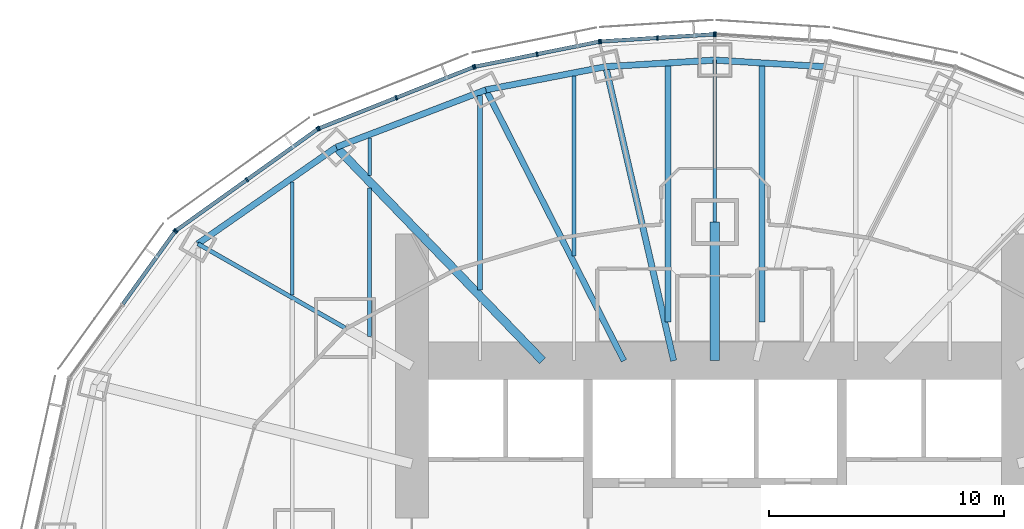
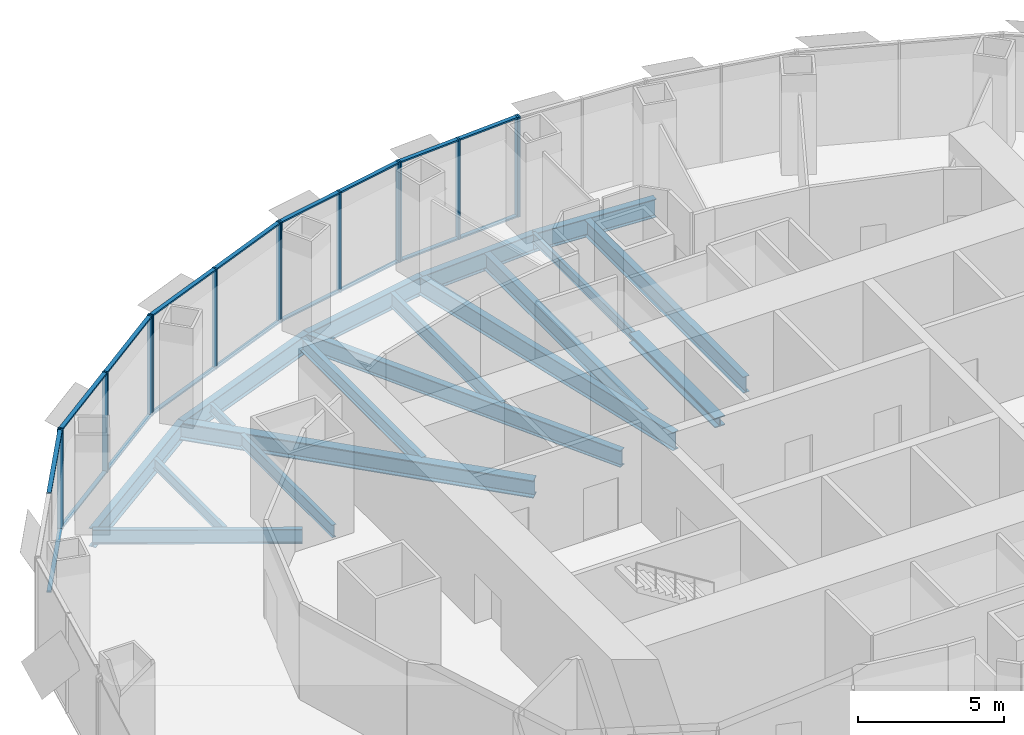
# One storey, part 7 of 18: 32 members, 18 beams, 6 elements without a shape of their own.
"""IFC4 building model written with IfcOpenShell, lengths in metres."""

from ifc_helpers import new_model, si_unit, direction, frame, origin, origin_2d, place, context, subcontext, project, spatial, rectangle, i_section, extrude, material, material_profile, profile_set, type_object, element, aggregate, save


model = new_model("IFC4")

# Units and contexts
model_context = context("Model", 3, precision=1e-05, world=origin(), true_north=direction((0.0, 1.0)))
body_context = subcontext(model_context, "Body", "Model", "MODEL_VIEW")
ifc_project = project(units=[si_unit("LENGTHUNIT", "METRE"), si_unit("AREAUNIT", "SQUARE_METRE"), si_unit("VOLUMEUNIT", "CUBIC_METRE"), si_unit("PLANEANGLEUNIT", "RADIAN"), si_unit("MASSUNIT", "GRAM", prefix="KILO")], contexts=[model_context])

# Site, building, storey
site_placement = place(None, origin())
site = spatial("IfcSite", under=ifc_project, at=site_placement, CompositionType="ELEMENT")
building_placement = place(site_placement, origin())
building = spatial("IfcBuilding", under=site, at=building_placement, Name="Lantaw Convention Tower", CompositionType="ELEMENT")
storey_placement = place(building_placement, frame((0.0, 0.0, 184.60009765625)))
storey = spatial("IfcBuildingStorey", under=building, at=storey_placement, Name="L43", CompositionType="ELEMENT", Elevation=184.60009765625)

# Beams
ifc_material_1 = material(Name="Steel ASTM A992", Category="steel")
ifc_material_profile_1 = material_profile(ifc_material_1, i_section(OverallWidth=0.2666015625, OverallDepth=0.76953125, WebThickness=0.015625, FlangeThickness=0.025390625, FilletRadius=0.0126953125, at=origin_2d()), Name="W30X132")
ifc_profile_set_1 = profile_set([ifc_material_profile_1], Name="Steel ASTM A992")
beam_type_1 = type_object("IfcBeamType", Name="Beam E W30X132", PredefinedType="SPANDREL", material=ifc_profile_set_1)
for number, where, z_axis, x_axis, name in (
    (1, (4.64501953125, 20.1201171875, -0.534912109375), (-0.998190892054, 0.06012439621, 0.0), (-0.06012439621, -0.998190892054, 0.0), "Edge beam 6"),
    (2, (0.0, 20.39990234375, -0.534912109375), (-0.998190892054, -0.06012439621, 0.0), (0.06012439621, -0.998190892054, 0.0), "Edge beam 7"),
):
    element("IfcBeam", number, at=place(storey_placement, frame(where, z_axis=z_axis, x_axis=x_axis)), inside=storey, type_object=beam_type_1, Name=name, PredefinedType="SPANDREL", context=body_context, shape_type="SweptSolid", body=[
        extrude(i_section(OverallWidth=0.2666015625, OverallDepth=0.76953125, WebThickness=0.015625, FlangeThickness=0.025390625, FilletRadius=0.0126953125, at=origin_2d()), origin(), (0.0, 0.0, 1.0), 4.6533203125),
    ])
beam_1_placement = place(storey_placement, frame((-4.64501953125, 20.1201171875, -0.534912109375), z_axis=(-0.981796805654, -0.189934284446, 0.0), x_axis=(0.189934284446, -0.981796805654, 0.0)))
element("IfcBeam", 3, at=beam_1_placement, inside=storey, type_object=beam_type_1, Name="Edge beam 8", PredefinedType="SPANDREL", context=body_context, shape_type="SweptSolid", body=[
    extrude(i_section(OverallWidth=0.2666015625, OverallDepth=0.76953125, WebThickness=0.015625, FlangeThickness=0.025390625, FilletRadius=0.0126953125, at=origin_2d()), origin(), (0.0, 0.0, 1.0), 5.1982421875),
])
beam_2_placement = place(storey_placement, frame((-9.74853515625, 19.1328125, -0.534912109375), z_axis=(-0.933691081977, -0.358079549033, 0.0), x_axis=(0.358079549033, -0.933691081977, 0.0)))
element("IfcBeam", 4, at=beam_2_placement, inside=storey, type_object=beam_type_1, Name="Edge beam 9", PredefinedType="SPANDREL", context=body_context, shape_type="SweptSolid", body=[
    extrude(i_section(OverallWidth=0.2666015625, OverallDepth=0.76953125, WebThickness=0.015625, FlangeThickness=0.025390625, FilletRadius=0.0126953125, at=origin_2d()), origin(), (0.0, 0.0, 1.0), 6.821533203125),
])
beam_3_placement = place(storey_placement, frame((-16.11767578125, 16.690185546875, -0.534912109375), z_axis=(-0.820310765287, -0.57191804339, 0.0), x_axis=(0.57191804339, -0.820310765287, 0.0)))
element("IfcBeam", 5, at=beam_3_placement, inside=storey, type_object=beam_type_1, Name="Edge beam 10", PredefinedType="SPANDREL", context=body_context, shape_type="SweptSolid", body=[
    extrude(i_section(OverallWidth=0.2666015625, OverallDepth=0.76953125, WebThickness=0.015625, FlangeThickness=0.025390625, FilletRadius=0.0126953125, at=origin_2d()), origin(), (0.0, 0.0, 1.0), 7.187744140625),
])
ifc_material_profile_2 = material_profile(ifc_material_1, i_section(OverallWidth=0.140380859375, OverallDepth=0.40380859375, WebThickness=0.007080078125, FlangeThickness=0.01123046875, FilletRadius=0.01025390625, at=origin_2d()), Name="W16X31")
ifc_profile_set_2 = profile_set([ifc_material_profile_2], Name="Steel ASTM A992")
beam_type_2 = type_object("IfcBeamType", Name="Beam G W16X31", PredefinedType="BEAM", material=ifc_profile_set_2)
beam_4_placement = place(storey_placement, frame((0.0, 13.5, -0.35205078125), z_axis=(0.0, 1.0, 0.0), x_axis=(-1.0, 0.0, 0.0)))
element("IfcBeam", 6, at=beam_4_placement, inside=storey, type_object=beam_type_2, Name="Floor girder on ray 7", PredefinedType="BEAM", context=body_context, shape_type="SweptSolid", body=[
    extrude(i_section(OverallWidth=0.140380859375, OverallDepth=0.40380859375, WebThickness=0.007080078125, FlangeThickness=0.01123046875, FilletRadius=0.01025390625, at=origin_2d()), origin(), (0.0, 0.0, 1.0), 6.89990234375),
])
ifc_material_profile_3 = material_profile(ifc_material_1, i_section(OverallWidth=0.177978515625, OverallDepth=0.599365234375, WebThickness=0.010009765625, FlangeThickness=0.012939453125, FilletRadius=0.012939453125, at=origin_2d()), Name="W24X55")
ifc_profile_set_3 = profile_set([ifc_material_profile_3], Name="Steel ASTM A992")
beam_type_3 = type_object("IfcBeamType", Name="Beam G W24X55", PredefinedType="BEAM", material=ifc_profile_set_3)
beam_5_placement = place(storey_placement, frame((-15.75, 9.0, -0.44970703125), z_axis=(-0.868245224608, 0.496135293993, 0.0), x_axis=(-0.496135293993, -0.868245224608, 0.0)))
element("IfcBeam", 7, at=beam_5_placement, inside=storey, type_object=beam_type_3, Name="Floor girder on ray 11", PredefinedType="BEAM", context=body_context, shape_type="SweptSolid", body=[
    extrude(i_section(OverallWidth=0.177978515625, OverallDepth=0.599365234375, WebThickness=0.010009765625, FlangeThickness=0.012939453125, FilletRadius=0.012939453125, at=origin_2d()), origin(), (0.0, 0.0, 1.0), 7.21435546875),
])
ifc_material_profile_4 = material_profile(ifc_material_1, i_section(OverallWidth=0.25390625, OverallDepth=0.700927734375, WebThickness=0.015380859375, FlangeThickness=0.02783203125, FilletRadius=0.01513671875, at=origin_2d()), Name="W27X129")
ifc_profile_set_4 = profile_set([ifc_material_profile_4], Name="Steel ASTM A992")
beam_type_4 = type_object("IfcBeamType", Name="Beam G W27X129", PredefinedType="BEAM", material=ifc_profile_set_4)
beam_6_placement = place(storey_placement, frame((-3.872314453125, 7.60009765625, -0.500732421875), z_axis=(-0.453991051051, 0.891006243281, 0.0), x_axis=(-0.891006243281, -0.453991051051, 0.0)))
element("IfcBeam", 8, at=beam_6_placement, inside=storey, type_object=beam_type_4, Name="Floor girder on ray 9", PredefinedType="BEAM", context=body_context, shape_type="SweptSolid", body=[
    extrude(i_section(OverallWidth=0.25390625, OverallDepth=0.700927734375, WebThickness=0.015380859375, FlangeThickness=0.02783203125, FilletRadius=0.01513671875, at=origin_2d()), origin(), (0.0, 0.0, 1.0), 12.943359375),
])
ifc_material_profile_5 = material_profile(ifc_material_1, i_section(OverallWidth=0.360595703125, OverallDepth=0.72900390625, WebThickness=0.023193359375, FlangeThickness=0.041015625, FilletRadius=0.0126953125, at=origin_2d()), Name="W27X235")
ifc_profile_set_5 = profile_set([ifc_material_profile_5], Name="Steel ASTM A992")
beam_type_5 = type_object("IfcBeamType", Name="Beam G W27X235", PredefinedType="BEAM", material=ifc_profile_set_5)
beam_7_placement = place(storey_placement, frame((-7.33935546875, 7.60009765625, -0.5146484375), z_axis=(-0.694663467407, 0.719334878239, 0.0), x_axis=(-0.719334878239, -0.694663467407, 0.0)))
element("IfcBeam", 9, at=beam_7_placement, inside=storey, type_object=beam_type_5, Name="Floor girder on ray 10", PredefinedType="BEAM", context=body_context, shape_type="SweptSolid", body=[
    extrude(i_section(OverallWidth=0.360595703125, OverallDepth=0.72900390625, WebThickness=0.023193359375, FlangeThickness=0.041015625, FilletRadius=0.0126953125, at=origin_2d()), origin(), (0.0, 0.0, 1.0), 12.63671875),
])
ifc_material_profile_6 = material_profile(ifc_material_1, i_section(OverallWidth=0.2666015625, OverallDepth=0.7568359375, WebThickness=0.013916015625, FlangeThickness=0.019287109375, FilletRadius=0.0126953125, at=origin_2d()), Name="W30X108")
ifc_profile_set_6 = profile_set([ifc_material_profile_6], Name="Steel ASTM A992")
beam_type_6 = type_object("IfcBeamType", Name="Beam G W30X108", PredefinedType="BEAM", material=ifc_profile_set_6)
beam_8_placement = place(storey_placement, frame((-1.754638671875, 7.60009765625, -0.528564453125), z_axis=(-0.224944153104, 0.974371658036, 0.0), x_axis=(-0.974371658036, -0.224944153104, 0.0)))
element("IfcBeam", 10, at=beam_8_placement, inside=storey, type_object=beam_type_6, Name="Floor girder on ray 8", PredefinedType="BEAM", context=body_context, shape_type="SweptSolid", body=[
    extrude(i_section(OverallWidth=0.2666015625, OverallDepth=0.7568359375, WebThickness=0.013916015625, FlangeThickness=0.019287109375, FilletRadius=0.0126953125, at=origin_2d()), origin(), (0.0, 0.0, 1.0), 12.849365234375),
])
ifc_material_profile_7 = material_profile(ifc_material_1, i_section(OverallWidth=0.40380859375, OverallDepth=0.406494140625, WebThickness=0.027099609375, FlangeThickness=0.043701171875, FilletRadius=0.01513671875, at=origin_2d()), Name="W14X233")
ifc_profile_set_7 = profile_set([ifc_material_profile_7], Name="Steel ASTM A992")
beam_type_7 = type_object("IfcBeamType", Name="Beam GM W14X233", PredefinedType="BEAM", material=ifc_profile_set_7)
beam_9_placement = place(storey_placement, frame((0.0, 7.60009765625, -0.353271484375), z_axis=(0.0, 1.0, 0.0), x_axis=(-1.0, 0.0, 0.0)))
element("IfcBeam", 11, at=beam_9_placement, inside=storey, type_object=beam_type_7, Name="Core link beam on ray 7", PredefinedType="BEAM", context=body_context, shape_type="SweptSolid", body=[
    extrude(i_section(OverallWidth=0.40380859375, OverallDepth=0.406494140625, WebThickness=0.027099609375, FlangeThickness=0.043701171875, FilletRadius=0.01513671875, at=origin_2d()), origin(), (0.0, 0.0, 1.0), 5.89990234375),
])
ifc_material_profile_8 = material_profile(ifc_material_1, i_section(OverallWidth=0.140380859375, OverallDepth=0.40380859375, WebThickness=0.007080078125, FlangeThickness=0.01123046875, FilletRadius=0.01025390625, at=origin_2d()), Name="W16X31")
ifc_profile_set_8 = profile_set([ifc_material_profile_8], Name="Steel ASTM A992")
beam_type_8 = type_object("IfcBeamType", Name="Beam J W16X31", PredefinedType="JOIST", material=ifc_profile_set_8)
beam_10_placement = place(storey_placement, frame((-14.699951171875, 15.48193359375, -0.35205078125), z_axis=(0.0, 1.0, 0.0), x_axis=(-1.0, 0.0, 0.0)))
element("IfcBeam", 12, at=beam_10_placement, inside=storey, type_object=beam_type_8, Name="Floor joist", PredefinedType="JOIST", context=body_context, shape_type="SweptSolid", body=[
    extrude(i_section(OverallWidth=0.140380859375, OverallDepth=0.40380859375, WebThickness=0.007080078125, FlangeThickness=0.01123046875, FilletRadius=0.01025390625, at=origin_2d()), origin(), (0.0, 0.0, 1.0), 1.609130859375),
])
ifc_material_profile_9 = material_profile(ifc_material_1, i_section(OverallWidth=0.15234375, OverallDepth=0.449462890625, WebThickness=0.007568359375, FlangeThickness=0.0107421875, FilletRadius=0.01025390625, at=origin_2d()), Name="W18X35")
ifc_profile_set_9 = profile_set([ifc_material_profile_9], Name="Steel ASTM A992")
beam_type_9 = type_object("IfcBeamType", Name="Beam J W18X35", PredefinedType="JOIST", material=ifc_profile_set_9)
beam_11_placement = place(storey_placement, frame((-18.0, 10.38818359375, -0.375), z_axis=(0.0, 1.0, 0.0), x_axis=(-1.0, 0.0, 0.0)))
element("IfcBeam", 13, at=beam_11_placement, inside=storey, type_object=beam_type_9, Name="Floor joist", PredefinedType="JOIST", context=body_context, shape_type="SweptSolid", body=[
    extrude(i_section(OverallWidth=0.15234375, OverallDepth=0.449462890625, WebThickness=0.007568359375, FlangeThickness=0.0107421875, FilletRadius=0.01025390625, at=origin_2d()), origin(), (0.0, 0.0, 1.0), 4.8271484375),
])
ifc_material_profile_10 = material_profile(ifc_material_1, i_section(OverallWidth=0.1650390625, OverallDepth=0.52587890625, WebThickness=0.0087890625, FlangeThickness=0.011474609375, FilletRadius=0.0126953125, at=origin_2d()), Name="W21X44")
ifc_profile_set_10 = profile_set([ifc_material_profile_10], Name="Steel ASTM A992")
beam_type_10 = type_object("IfcBeamType", Name="Beam J W21X44", PredefinedType="JOIST", material=ifc_profile_set_10)
beam_12_placement = place(storey_placement, frame((-14.699951171875, 8.632568359375, -0.4130859375), z_axis=(0.0, 1.0, 0.0), x_axis=(-1.0, 0.0, 0.0)))
element("IfcBeam", 14, at=beam_12_placement, inside=storey, type_object=beam_type_10, Name="Floor joist", PredefinedType="JOIST", context=body_context, shape_type="SweptSolid", body=[
    extrude(i_section(OverallWidth=0.1650390625, OverallDepth=0.52587890625, WebThickness=0.0087890625, FlangeThickness=0.011474609375, FilletRadius=0.0126953125, at=origin_2d()), origin(), (0.0, 0.0, 1.0), 6.330078125),
])
ifc_material_profile_11 = material_profile(ifc_material_1, i_section(OverallWidth=0.2099609375, OverallDepth=0.535888671875, WebThickness=0.010986328125, FlangeThickness=0.017333984375, FilletRadius=0.012939453125, at=origin_2d()), Name="W21X68")
ifc_profile_set_11 = profile_set([ifc_material_profile_11], Name="Steel ASTM A992")
beam_type_11 = type_object("IfcBeamType", Name="Beam J W21X68", PredefinedType="JOIST", material=ifc_profile_set_11)
beam_13_placement = place(storey_placement, frame((-10.0, 10.614990234375, -0.41796875), z_axis=(0.0, 1.0, 0.0), x_axis=(-1.0, 0.0, 0.0)))
element("IfcBeam", 15, at=beam_13_placement, inside=storey, type_object=beam_type_11, Name="Floor joist", PredefinedType="JOIST", context=body_context, shape_type="SweptSolid", body=[
    extrude(i_section(OverallWidth=0.2099609375, OverallDepth=0.535888671875, WebThickness=0.010986328125, FlangeThickness=0.017333984375, FilletRadius=0.012939453125, at=origin_2d()), origin(), (0.0, 0.0, 1.0), 8.278564453125),
])
ifc_material_profile_12 = material_profile(ifc_material_1, i_section(OverallWidth=0.177978515625, OverallDepth=0.599365234375, WebThickness=0.010009765625, FlangeThickness=0.012939453125, FilletRadius=0.012939453125, at=origin_2d()), Name="W24X55")
ifc_profile_set_12 = profile_set([ifc_material_profile_12], Name="Steel ASTM A992")
beam_type_12 = type_object("IfcBeamType", Name="Beam J W24X55", PredefinedType="JOIST", material=ifc_profile_set_12)
beam_14_placement = place(storey_placement, frame((-6.0, 12.055419921875, -0.44970703125), z_axis=(0.0, 1.0, 0.0), x_axis=(-1.0, 0.0, 0.0)))
element("IfcBeam", 16, at=beam_14_placement, inside=storey, type_object=beam_type_12, Name="Floor joist", PredefinedType="JOIST", context=body_context, shape_type="SweptSolid", body=[
    extrude(i_section(OverallWidth=0.177978515625, OverallDepth=0.599365234375, WebThickness=0.010009765625, FlangeThickness=0.012939453125, FilletRadius=0.012939453125, at=origin_2d()), origin(), (0.0, 0.0, 1.0), 7.666748046875),
])
ifc_material_profile_13 = material_profile(ifc_material_1, i_section(OverallWidth=0.25390625, OverallDepth=0.683349609375, WebThickness=0.012451171875, FlangeThickness=0.01904296875, FilletRadius=0.01513671875, at=origin_2d()), Name="W27X94")
ifc_profile_set_13 = profile_set([ifc_material_profile_13], Name="Steel ASTM A992")
beam_type_13 = type_object("IfcBeamType", Name="Beam J W27X94", PredefinedType="JOIST", material=ifc_profile_set_13)
for number, where, z_axis, x_axis, name in (
    (17, (-2.0, 9.255859375, -0.49169921875), (0.0, 1.0, 0.0), (-1.0, 0.0, 0.0), "Floor joist"),
    (18, (2.0, 9.255859375, -0.49169921875), (0.0, 1.0, 0.0), (-1.0, 0.0, 0.0), "Floor joist"),
):
    element("IfcBeam", number, at=place(storey_placement, frame(where, z_axis=z_axis, x_axis=x_axis)), inside=storey, type_object=beam_type_13, Name=name, PredefinedType="JOIST", context=body_context, shape_type="SweptSolid", body=[
        extrude(i_section(OverallWidth=0.25390625, OverallDepth=0.683349609375, WebThickness=0.012451171875, FlangeThickness=0.01904296875, FilletRadius=0.01513671875, at=origin_2d()), origin(), (0.0, 0.0, 1.0), 10.889892578125),
    ])

# Curtain wall, member
ifc_material_2 = material(Name="Aluminium framed curtain wall", Category="aluminium")
curtain_wall_type = type_object("IfcCurtainWallType", Name="Office curtain wall low rise, pale aluminium", PredefinedType="USERDEFINED", material=ifc_material_2)
curtain_wall_1_placement = place(storey_placement, origin())
curtain_wall_1 = element("IfcCurtainWall", 19, at=curtain_wall_1_placement, inside=storey, type_object=curtain_wall_type, Name="Office curtain wall low rise, pale aluminium L43", ObjectType="UNITISED CURTAIN WALL", PredefinedType="USERDEFINED")
ifc_material_3 = material(Name="Aluminium 6063-T6", Category="aluminium")
ifc_material_profile_14 = material_profile(ifc_material_3, rectangle(XDim=0.199951171875, YDim=0.06494140625, at=origin_2d()), Name="CW-O1 mullion 65x200")
ifc_profile_set_14 = profile_set([ifc_material_profile_14], Name="Aluminium 6063-T6")
member_type_1 = type_object("IfcMemberType", Name="CW-O1 mullion 65x200", PredefinedType="MULLION", material=ifc_profile_set_14)
member_1_placement = place(storey_placement, frame((0.032470703125, 21.498046875, -0.150146484375), z_axis=(0.0, 0.0, 1.0), x_axis=(-0.062865059466, -0.998022035978, 0.0)))
member_1 = element("IfcMember", 20, at=member_1_placement, type_object=member_type_1, Name="CW-O1 mullion 3", PredefinedType="MULLION", context=body_context, shape_type="SweptSolid", body=[
    extrude(rectangle(XDim=0.199951171875, YDim=0.06494140625, at=origin_2d()), origin(), (0.0, 0.0, 1.0), 4.199951171875),
])
aggregate(curtain_wall_1, [member_1])

# Curtain wall, members
curtain_wall_2_placement = place(storey_placement, origin())
curtain_wall_2 = element("IfcCurtainWall", 21, at=curtain_wall_2_placement, inside=storey, type_object=curtain_wall_type, Name="Office curtain wall low rise, pale aluminium L43", ObjectType="UNITISED CURTAIN WALL", PredefinedType="USERDEFINED")
member_2_placement = place(storey_placement, frame((-0.032470703125, 21.498046875, -0.150146484375), z_axis=(0.0, 0.0, 1.0), x_axis=(0.062865059466, -0.998022035978, 0.0)))
member_2 = element("IfcMember", 22, at=member_2_placement, type_object=member_type_1, Name="CW-O1 mullion 1", PredefinedType="MULLION", context=body_context, shape_type="SweptSolid", body=[
    extrude(rectangle(XDim=0.199951171875, YDim=0.06494140625, at=origin_2d()), origin(), (0.0, 0.0, 1.0), 4.199951171875),
])
member_3_placement = place(storey_placement, frame((-2.4462890625, 21.345947265625, -0.150146484375), z_axis=(0.0, 0.0, 1.0), x_axis=(0.062865059466, -0.998022035978, 0.0)))
member_3 = element("IfcMember", 23, at=member_3_placement, type_object=member_type_1, Name="CW-O1 mullion 2", PredefinedType="MULLION", context=body_context, shape_type="SweptSolid", body=[
    extrude(rectangle(XDim=0.199951171875, YDim=0.06494140625, at=origin_2d()), origin(), (0.0, 0.0, 1.0), 4.199951171875),
])
member_4_placement = place(storey_placement, frame((-4.860107421875, 21.19384765625, -0.150146484375), z_axis=(0.0, 0.0, 1.0), x_axis=(0.062865059466, -0.998022035978, 0.0)))
member_4 = element("IfcMember", 24, at=member_4_placement, type_object=member_type_1, Name="CW-O1 mullion 3", PredefinedType="MULLION", context=body_context, shape_type="SweptSolid", body=[
    extrude(rectangle(XDim=0.199951171875, YDim=0.06494140625, at=origin_2d()), origin(), (0.0, 0.0, 1.0), 4.199951171875),
])

curtain_wall_3_placement = place(storey_placement, origin())
curtain_wall_3 = element("IfcCurtainWall", 25, at=curtain_wall_3_placement, inside=storey, type_object=curtain_wall_type, Name="Office curtain wall low rise, pale aluminium L43", ObjectType="UNITISED CURTAIN WALL", PredefinedType="USERDEFINED")
member_5_placement = place(storey_placement, frame((-4.92431640625, 21.185302734375, -0.150146484375), z_axis=(0.0, 0.0, 1.0), x_axis=(0.197506809659, -0.980301514912, 0.0)))
member_5 = element("IfcMember", 26, at=member_5_placement, type_object=member_type_1, Name="CW-O1 mullion 1", PredefinedType="MULLION", context=body_context, shape_type="SweptSolid", body=[
    extrude(rectangle(XDim=0.199951171875, YDim=0.06494140625, at=origin_2d()), origin(), (0.0, 0.0, 1.0), 4.199951171875),
])
member_6_placement = place(storey_placement, frame((-7.5703125, 20.65234375, -0.150146484375), z_axis=(0.0, 0.0, 1.0), x_axis=(0.197506809659, -0.980301514912, 0.0)))
member_6 = element("IfcMember", 27, at=member_6_placement, type_object=member_type_1, Name="CW-O1 mullion 2", PredefinedType="MULLION", context=body_context, shape_type="SweptSolid", body=[
    extrude(rectangle(XDim=0.199951171875, YDim=0.06494140625, at=origin_2d()), origin(), (0.0, 0.0, 1.0), 4.199951171875),
])
member_7_placement = place(storey_placement, frame((-10.216064453125, 20.119140625, -0.150146484375), z_axis=(0.0, 0.0, 1.0), x_axis=(0.197506809659, -0.980301514912, 0.0)))
member_7 = element("IfcMember", 28, at=member_7_placement, type_object=member_type_1, Name="CW-O1 mullion 3", PredefinedType="MULLION", context=body_context, shape_type="SweptSolid", body=[
    extrude(rectangle(XDim=0.199951171875, YDim=0.06494140625, at=origin_2d()), origin(), (0.0, 0.0, 1.0), 4.199951171875),
])

curtain_wall_4_placement = place(storey_placement, origin())
curtain_wall_4 = element("IfcCurtainWall", 29, at=curtain_wall_4_placement, inside=storey, type_object=curtain_wall_type, Name="Office curtain wall low rise, pale aluminium L43", ObjectType="UNITISED CURTAIN WALL", PredefinedType="USERDEFINED")
member_8_placement = place(storey_placement, frame((-10.2783203125, 20.100830078125, -0.150146484375), z_axis=(0.0, 0.0, 1.0), x_axis=(0.368701907483, -0.929547687544, 0.0)))
member_8 = element("IfcMember", 30, at=member_8_placement, type_object=member_type_1, Name="CW-O1 mullion 1", PredefinedType="MULLION", context=body_context, shape_type="SweptSolid", body=[
    extrude(rectangle(XDim=0.199951171875, YDim=0.06494140625, at=origin_2d()), origin(), (0.0, 0.0, 1.0), 4.199951171875),
])
member_9_placement = place(storey_placement, frame((-13.56494140625, 18.797119140625, -0.150146484375), z_axis=(0.0, 0.0, 1.0), x_axis=(0.368701907483, -0.929547687544, 0.0)))
member_9 = element("IfcMember", 31, at=member_9_placement, type_object=member_type_1, Name="CW-O1 mullion 2", PredefinedType="MULLION", context=body_context, shape_type="SweptSolid", body=[
    extrude(rectangle(XDim=0.199951171875, YDim=0.06494140625, at=origin_2d()), origin(), (0.0, 0.0, 1.0), 4.199951171875),
])
member_10_placement = place(storey_placement, frame((-16.8515625, 17.49365234375, -0.150146484375), z_axis=(0.0, 0.0, 1.0), x_axis=(0.368701907483, -0.929547687544, 0.0)))
member_10 = element("IfcMember", 32, at=member_10_placement, type_object=member_type_1, Name="CW-O1 mullion 3", PredefinedType="MULLION", context=body_context, shape_type="SweptSolid", body=[
    extrude(rectangle(XDim=0.199951171875, YDim=0.06494140625, at=origin_2d()), origin(), (0.0, 0.0, 1.0), 4.199951171875),
])

curtain_wall_5_placement = place(storey_placement, origin())
curtain_wall_5 = element("IfcCurtainWall", 33, at=curtain_wall_5_placement, inside=storey, type_object=curtain_wall_type, Name="Office curtain wall low rise, pale aluminium L43", ObjectType="UNITISED CURTAIN WALL", PredefinedType="USERDEFINED")
member_11_placement = place(storey_placement, frame((-16.908203125, 17.462646484375, -0.150146484375), z_axis=(0.0, 0.0, 1.0), x_axis=(0.581972695693, -0.813208325995, 0.0)))
member_11 = element("IfcMember", 34, at=member_11_placement, type_object=member_type_1, Name="CW-O1 mullion 1", PredefinedType="MULLION", context=body_context, shape_type="SweptSolid", body=[
    extrude(rectangle(XDim=0.199951171875, YDim=0.06494140625, at=origin_2d()), origin(), (0.0, 0.0, 1.0), 4.199951171875),
])
member_12_placement = place(storey_placement, frame((-19.92529296875, 15.303466796875, -0.150146484375), z_axis=(0.0, 0.0, 1.0), x_axis=(0.581972695693, -0.813208325995, 0.0)))
member_12 = element("IfcMember", 35, at=member_12_placement, type_object=member_type_1, Name="CW-O1 mullion 2", PredefinedType="MULLION", context=body_context, shape_type="SweptSolid", body=[
    extrude(rectangle(XDim=0.199951171875, YDim=0.06494140625, at=origin_2d()), origin(), (0.0, 0.0, 1.0), 4.199951171875),
])
member_13_placement = place(storey_placement, frame((-22.942626953125, 13.14404296875, -0.150146484375), z_axis=(0.0, 0.0, 1.0), x_axis=(0.581972695693, -0.813208325995, 0.0)))
member_13 = element("IfcMember", 36, at=member_13_placement, type_object=member_type_1, Name="CW-O1 mullion 3", PredefinedType="MULLION", context=body_context, shape_type="SweptSolid", body=[
    extrude(rectangle(XDim=0.199951171875, YDim=0.06494140625, at=origin_2d()), origin(), (0.0, 0.0, 1.0), 4.199951171875),
])

# Curtain wall, member
curtain_wall_6_placement = place(storey_placement, origin())
curtain_wall_6 = element("IfcCurtainWall", 37, at=curtain_wall_6_placement, inside=storey, type_object=curtain_wall_type, Name="Office curtain wall low rise, pale aluminium L43", ObjectType="UNITISED CURTAIN WALL", PredefinedType="USERDEFINED")
member_14_placement = place(storey_placement, frame((-22.988037109375, 13.098876953125, -0.150146484375), z_axis=(0.0, 0.0, 1.0), x_axis=(0.811384633629, -0.584512597221, 0.0)))
member_14 = element("IfcMember", 38, at=member_14_placement, type_object=member_type_1, Name="CW-O1 mullion 1", PredefinedType="MULLION", context=body_context, shape_type="SweptSolid", body=[
    extrude(rectangle(XDim=0.199951171875, YDim=0.06494140625, at=origin_2d()), origin(), (0.0, 0.0, 1.0), 4.199951171875),
])

# Member
ifc_material_profile_15 = material_profile(ifc_material_3, rectangle(XDim=0.159912109375, YDim=0.06494140625, at=origin_2d()), Name="CW-O1 transom 65x160")
ifc_profile_set_15 = profile_set([ifc_material_profile_15], Name="Aluminium 6063-T6")
member_type_2 = type_object("IfcMemberType", Name="CW-O1 transom 65x160", PredefinedType="USERDEFINED", material=ifc_profile_set_15)
member_15_placement = place(storey_placement, frame((-0.06494140625, 21.495849609375, -0.11767578125), z_axis=(-0.998022188463, -0.062862638625, 0.0), x_axis=(0.062862638625, -0.998022188463, 0.0)))
member_15 = element("IfcMember", 39, at=member_15_placement, type_object=member_type_2, Name="CW-O1 transom 1.1", ObjectType="TRANSOM", PredefinedType="USERDEFINED", context=body_context, shape_type="SweptSolid", body=[
    extrude(rectangle(XDim=0.159912109375, YDim=0.06494140625, at=origin_2d()), origin(), (0.0, 0.0, 1.0), 2.353515625),
])

member_16_placement = place(storey_placement, frame((-0.06494140625, 21.495849609375, 4.017333984375), z_axis=(-0.998022188463, -0.062862638625, 0.0), x_axis=(0.062862638625, -0.998022188463, 0.0)))
member_16 = element("IfcMember", 40, at=member_16_placement, type_object=member_type_2, Name="CW-O1 transom 1.2", ObjectType="TRANSOM", PredefinedType="USERDEFINED", context=body_context, shape_type="SweptSolid", body=[
    extrude(rectangle(XDim=0.159912109375, YDim=0.06494140625, at=origin_2d()), origin(), (0.0, 0.0, 1.0), 2.353515625),
])

member_17_placement = place(storey_placement, frame((-2.478759765625, 21.34375, -0.11767578125), z_axis=(-0.998022188463, -0.062862638625, 0.0), x_axis=(0.062862638625, -0.998022188463, 0.0)))
member_17 = element("IfcMember", 41, at=member_17_placement, type_object=member_type_2, Name="CW-O1 transom 2.1", ObjectType="TRANSOM", PredefinedType="USERDEFINED", context=body_context, shape_type="SweptSolid", body=[
    extrude(rectangle(XDim=0.159912109375, YDim=0.06494140625, at=origin_2d()), origin(), (0.0, 0.0, 1.0), 2.353515625),
])

member_18_placement = place(storey_placement, frame((-2.478759765625, 21.34375, 4.017333984375), z_axis=(-0.998022188463, -0.062862638625, 0.0), x_axis=(0.062862638625, -0.998022188463, 0.0)))
member_18 = element("IfcMember", 42, at=member_18_placement, type_object=member_type_2, Name="CW-O1 transom 2.2", ObjectType="TRANSOM", PredefinedType="USERDEFINED", context=body_context, shape_type="SweptSolid", body=[
    extrude(rectangle(XDim=0.159912109375, YDim=0.06494140625, at=origin_2d()), origin(), (0.0, 0.0, 1.0), 2.353515625),
])

aggregate(curtain_wall_2, [member_2, member_3, member_4, member_15, member_16, member_17, member_18])

member_19_placement = place(storey_placement, frame((-4.956298828125, 21.178955078125, -0.11767578125), z_axis=(-0.980298027092, -0.197524120247, 0.0), x_axis=(0.197524120247, -0.980298027092, 0.0)))
member_19 = element("IfcMember", 43, at=member_19_placement, type_object=member_type_2, Name="CW-O1 transom 1.1", ObjectType="TRANSOM", PredefinedType="USERDEFINED", context=body_context, shape_type="SweptSolid", body=[
    extrude(rectangle(XDim=0.159912109375, YDim=0.06494140625, at=origin_2d()), origin(), (0.0, 0.0, 1.0), 2.634033203125),
])

member_20_placement = place(storey_placement, frame((-4.956298828125, 21.178955078125, 4.017333984375), z_axis=(-0.980298027092, -0.197524120247, 0.0), x_axis=(0.197524120247, -0.980298027092, 0.0)))
member_20 = element("IfcMember", 44, at=member_20_placement, type_object=member_type_2, Name="CW-O1 transom 1.2", ObjectType="TRANSOM", PredefinedType="USERDEFINED", context=body_context, shape_type="SweptSolid", body=[
    extrude(rectangle(XDim=0.159912109375, YDim=0.06494140625, at=origin_2d()), origin(), (0.0, 0.0, 1.0), 2.634033203125),
])

member_21_placement = place(storey_placement, frame((-7.60205078125, 20.64599609375, -0.11767578125), z_axis=(-0.980301643003, -0.197506173891, 0.0), x_axis=(0.197506173891, -0.980301643003, 0.0)))
member_21 = element("IfcMember", 45, at=member_21_placement, type_object=member_type_2, Name="CW-O1 transom 2.1", ObjectType="TRANSOM", PredefinedType="USERDEFINED", context=body_context, shape_type="SweptSolid", body=[
    extrude(rectangle(XDim=0.159912109375, YDim=0.06494140625, at=origin_2d()), origin(), (0.0, 0.0, 1.0), 2.63427734375),
])

member_22_placement = place(storey_placement, frame((-7.60205078125, 20.64599609375, 4.017333984375), z_axis=(-0.980301643003, -0.197506173891, 0.0), x_axis=(0.197506173891, -0.980301643003, 0.0)))
member_22 = element("IfcMember", 46, at=member_22_placement, type_object=member_type_2, Name="CW-O1 transom 2.2", ObjectType="TRANSOM", PredefinedType="USERDEFINED", context=body_context, shape_type="SweptSolid", body=[
    extrude(rectangle(XDim=0.159912109375, YDim=0.06494140625, at=origin_2d()), origin(), (0.0, 0.0, 1.0), 2.63427734375),
])

aggregate(curtain_wall_3, [member_5, member_6, member_7, member_19, member_20, member_21, member_22])

member_23_placement = place(storey_placement, frame((-10.308349609375, 20.0888671875, -0.11767578125), z_axis=(-0.929540081544, -0.368721082668, 0.0), x_axis=(0.368721082668, -0.929540081544, 0.0)))
member_23 = element("IfcMember", 47, at=member_23_placement, type_object=member_type_2, Name="CW-O1 transom 1.1", ObjectType="TRANSOM", PredefinedType="USERDEFINED", context=body_context, shape_type="SweptSolid", body=[
    extrude(rectangle(XDim=0.159912109375, YDim=0.06494140625, at=origin_2d()), origin(), (0.0, 0.0, 1.0), 3.470947265625),
])

member_24_placement = place(storey_placement, frame((-10.308349609375, 20.0888671875, 4.017333984375), z_axis=(-0.929540081544, -0.368721082668, 0.0), x_axis=(0.368721082668, -0.929540081544, 0.0)))
member_24 = element("IfcMember", 48, at=member_24_placement, type_object=member_type_2, Name="CW-O1 transom 1.2", ObjectType="TRANSOM", PredefinedType="USERDEFINED", context=body_context, shape_type="SweptSolid", body=[
    extrude(rectangle(XDim=0.159912109375, YDim=0.06494140625, at=origin_2d()), origin(), (0.0, 0.0, 1.0), 3.470947265625),
])

member_25_placement = place(storey_placement, frame((-13.594970703125, 18.78515625, -0.11767578125), z_axis=(-0.929564188507, -0.368660303592, 0.0), x_axis=(0.368660303592, -0.929564188507, 0.0)))
member_25 = element("IfcMember", 49, at=member_25_placement, type_object=member_type_2, Name="CW-O1 transom 2.1", ObjectType="TRANSOM", PredefinedType="USERDEFINED", context=body_context, shape_type="SweptSolid", body=[
    extrude(rectangle(XDim=0.159912109375, YDim=0.06494140625, at=origin_2d()), origin(), (0.0, 0.0, 1.0), 3.470703125),
])

member_26_placement = place(storey_placement, frame((-13.594970703125, 18.78515625, 4.017333984375), z_axis=(-0.929564188507, -0.368660303592, 0.0), x_axis=(0.368660303592, -0.929564188507, 0.0)))
member_26 = element("IfcMember", 50, at=member_26_placement, type_object=member_type_2, Name="CW-O1 transom 2.2", ObjectType="TRANSOM", PredefinedType="USERDEFINED", context=body_context, shape_type="SweptSolid", body=[
    extrude(rectangle(XDim=0.159912109375, YDim=0.06494140625, at=origin_2d()), origin(), (0.0, 0.0, 1.0), 3.470703125),
])

aggregate(curtain_wall_4, [member_8, member_9, member_10, member_23, member_24, member_25, member_26])

member_27_placement = place(storey_placement, frame((-16.9345703125, 17.44384765625, -0.11767578125), z_axis=(-0.813190089133, -0.581998177777, 0.0), x_axis=(0.581998177777, -0.813190089133, 0.0)))
member_27 = element("IfcMember", 51, at=member_27_placement, type_object=member_type_2, Name="CW-O1 transom 1.1", ObjectType="TRANSOM", PredefinedType="USERDEFINED", context=body_context, shape_type="SweptSolid", body=[
    extrude(rectangle(XDim=0.159912109375, YDim=0.06494140625, at=origin_2d()), origin(), (0.0, 0.0, 1.0), 3.645263671875),
])

member_28_placement = place(storey_placement, frame((-16.9345703125, 17.44384765625, 4.017333984375), z_axis=(-0.813190089133, -0.581998177777, 0.0), x_axis=(0.581998177777, -0.813190089133, 0.0)))
member_28 = element("IfcMember", 52, at=member_28_placement, type_object=member_type_2, Name="CW-O1 transom 1.2", ObjectType="TRANSOM", PredefinedType="USERDEFINED", context=body_context, shape_type="SweptSolid", body=[
    extrude(rectangle(XDim=0.159912109375, YDim=0.06494140625, at=origin_2d()), origin(), (0.0, 0.0, 1.0), 3.645263671875),
])

member_29_placement = place(storey_placement, frame((-19.951904296875, 15.284423828125, -0.11767578125), z_axis=(-0.813221785972, -0.581953887194, 0.0), x_axis=(0.581953887194, -0.813221785972, 0.0)))
member_29 = element("IfcMember", 53, at=member_29_placement, type_object=member_type_2, Name="CW-O1 transom 2.1", ObjectType="TRANSOM", PredefinedType="USERDEFINED", context=body_context, shape_type="SweptSolid", body=[
    extrude(rectangle(XDim=0.159912109375, YDim=0.06494140625, at=origin_2d()), origin(), (0.0, 0.0, 1.0), 3.645263671875),
])

member_30_placement = place(storey_placement, frame((-19.951904296875, 15.284423828125, 4.017333984375), z_axis=(-0.813221785972, -0.581953887194, 0.0), x_axis=(0.581953887194, -0.813221785972, 0.0)))
member_30 = element("IfcMember", 54, at=member_30_placement, type_object=member_type_2, Name="CW-O1 transom 2.2", ObjectType="TRANSOM", PredefinedType="USERDEFINED", context=body_context, shape_type="SweptSolid", body=[
    extrude(rectangle(XDim=0.159912109375, YDim=0.06494140625, at=origin_2d()), origin(), (0.0, 0.0, 1.0), 3.645263671875),
])

aggregate(curtain_wall_5, [member_11, member_12, member_13, member_27, member_28, member_29, member_30])

member_31_placement = place(storey_placement, frame((-23.007080078125, 13.072509765625, -0.11767578125), z_axis=(-0.584512973979, -0.811384362217, 0.0), x_axis=(0.811384362217, -0.584512973979, 0.0)))
member_31 = element("IfcMember", 55, at=member_31_placement, type_object=member_type_2, Name="CW-O1 transom 1.1", ObjectType="TRANSOM", PredefinedType="USERDEFINED", context=body_context, shape_type="SweptSolid", body=[
    extrude(rectangle(XDim=0.159912109375, YDim=0.06494140625, at=origin_2d()), origin(), (0.0, 0.0, 1.0), 3.767578125),
])

member_32_placement = place(storey_placement, frame((-23.007080078125, 13.072509765625, 4.017333984375), z_axis=(-0.584512973979, -0.811384362217, 0.0), x_axis=(0.811384362217, -0.584512973979, 0.0)))
member_32 = element("IfcMember", 56, at=member_32_placement, type_object=member_type_2, Name="CW-O1 transom 1.2", ObjectType="TRANSOM", PredefinedType="USERDEFINED", context=body_context, shape_type="SweptSolid", body=[
    extrude(rectangle(XDim=0.159912109375, YDim=0.06494140625, at=origin_2d()), origin(), (0.0, 0.0, 1.0), 3.767578125),
])

aggregate(curtain_wall_6, [member_14, member_31, member_32])

save(model, "model.ifc")
